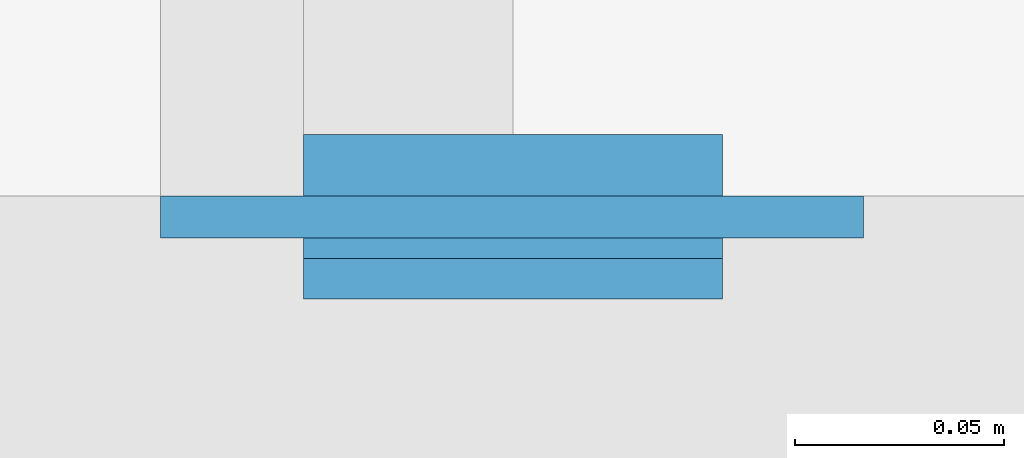
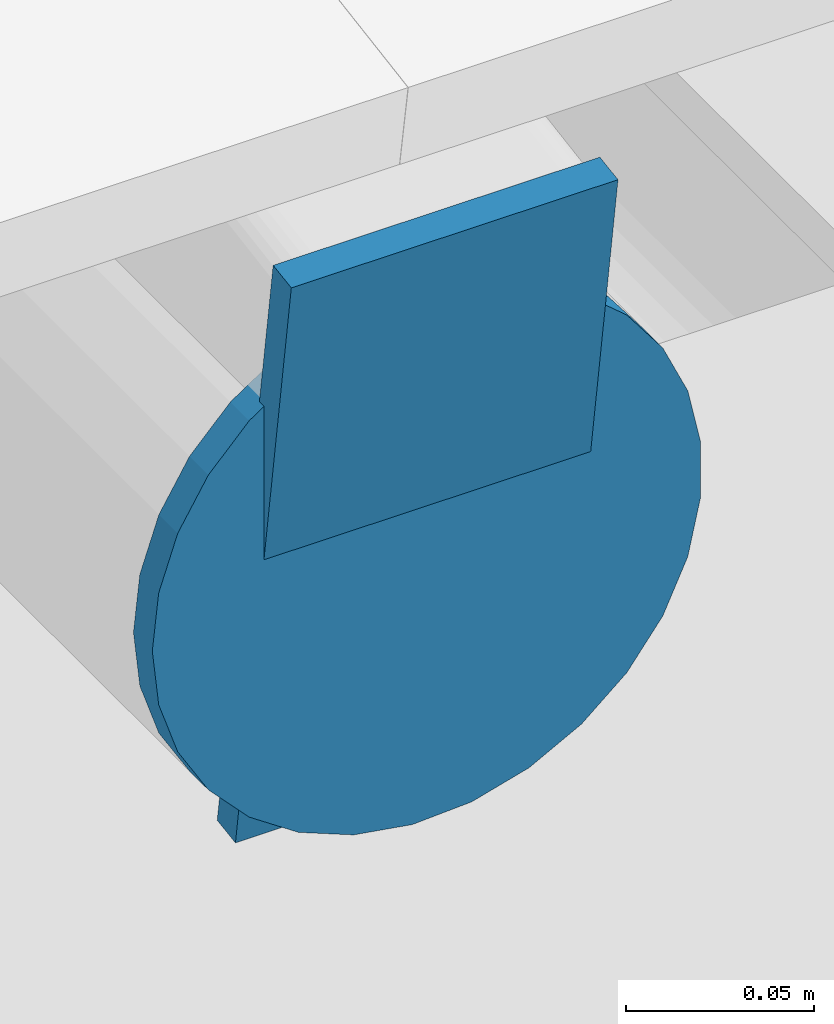
# One storey, part 56 of 69: 2 discrete accessories.
"""IFC4 building model written with IfcOpenShell, lengths in metres."""

from ifc_helpers import new_model, si_unit, direction, frame, origin, origin_2d, place, context, subcontext, project, spatial, rectangle, circle, extrude, material, material_profile, profile_set, type_object, element, save


model = new_model("IFC4")

# Units and contexts
model_context = context("Model", 3, precision=1e-05, world=origin(), true_north=direction((0.0, 1.0)))
body_context = subcontext(model_context, "Body", "Model", "MODEL_VIEW")
ifc_project = project(units=[si_unit("LENGTHUNIT", "METRE"), si_unit("AREAUNIT", "SQUARE_METRE"), si_unit("VOLUMEUNIT", "CUBIC_METRE"), si_unit("PLANEANGLEUNIT", "RADIAN"), si_unit("MASSUNIT", "GRAM", prefix="KILO")], contexts=[model_context])

# Site, building, storey
site_placement = place(None, origin())
site = spatial("IfcSite", under=ifc_project, at=site_placement, CompositionType="ELEMENT")
building_placement = place(site_placement, origin())
building = spatial("IfcBuilding", under=site, at=building_placement, Name="Kallimachos Central Library", CompositionType="ELEMENT")
storey_placement = place(building_placement, frame((0.0, 0.0, 23.39990234375)))
storey = spatial("IfcBuildingStorey", under=building, at=storey_placement, Name="L05", CompositionType="ELEMENT", Elevation=23.39990234375)

# Discrete accessories
ifc_material_1 = material(Name="Steel S355J2", Category="steel")
ifc_material_profile_1 = material_profile(ifc_material_1, rectangle(XDim=0.10009765625, YDim=0.199951171875, at=origin_2d()), Name="End cap plate 10, 100x200")
ifc_profile_set_1 = profile_set([ifc_material_profile_1], Name="Steel S355J2")
discrete_accessory_type_1 = type_object("IfcDiscreteAccessoryType", Name="End cap plate 10, 100x200", PredefinedType="BRACKET", material=ifc_profile_set_1)
discrete_accessory_1_placement = place(storey_placement, frame((101.199951171875, 56.91015625, 0.389892578125), z_axis=(0.0, 0.988936352868, 0.14834045293), x_axis=(-1.0, 0.0, 0.0)))
element("IfcDiscreteAccessory", 1, at=discrete_accessory_1_placement, inside=storey, type_object=discrete_accessory_type_1, Name="End cap plate", PredefinedType="BRACKET", context=body_context, shape_type="SweptSolid", body=[
    extrude(rectangle(XDim=0.10009765625, YDim=0.199951171875, at=origin_2d()), origin(), (0.0, 0.0, 1.0), 0.009765625),
])
ifc_material_2 = material(Name="Steel S355J2", Category="steel")
ifc_material_profile_2 = material_profile(ifc_material_2, circle(Radius=0.084228515625, at=origin_2d()), Name="End cap plate 10, round 168.3")
ifc_profile_set_2 = profile_set([ifc_material_profile_2], Name="Steel S355J2")
discrete_accessory_type_2 = type_object("IfcDiscreteAccessoryType", Name="End cap plate 10, round 168.3", PredefinedType="BRACKET", material=ifc_profile_set_2)
discrete_accessory_2_placement = place(storey_placement, frame((101.199951171875, 56.909912109375, 0.374267578125), z_axis=(0.0, 1.0, 0.0), x_axis=(-1.0, 0.0, 0.0)))
element("IfcDiscreteAccessory", 2, at=discrete_accessory_2_placement, inside=storey, type_object=discrete_accessory_type_2, Name="End cap plate", PredefinedType="BRACKET", context=body_context, shape_type="SweptSolid", body=[
    extrude(circle(Radius=0.084228515625, at=origin_2d()), origin(), (0.0, 0.0, 1.0), 0.010009765625),
])

save(model, "model.ifc")
